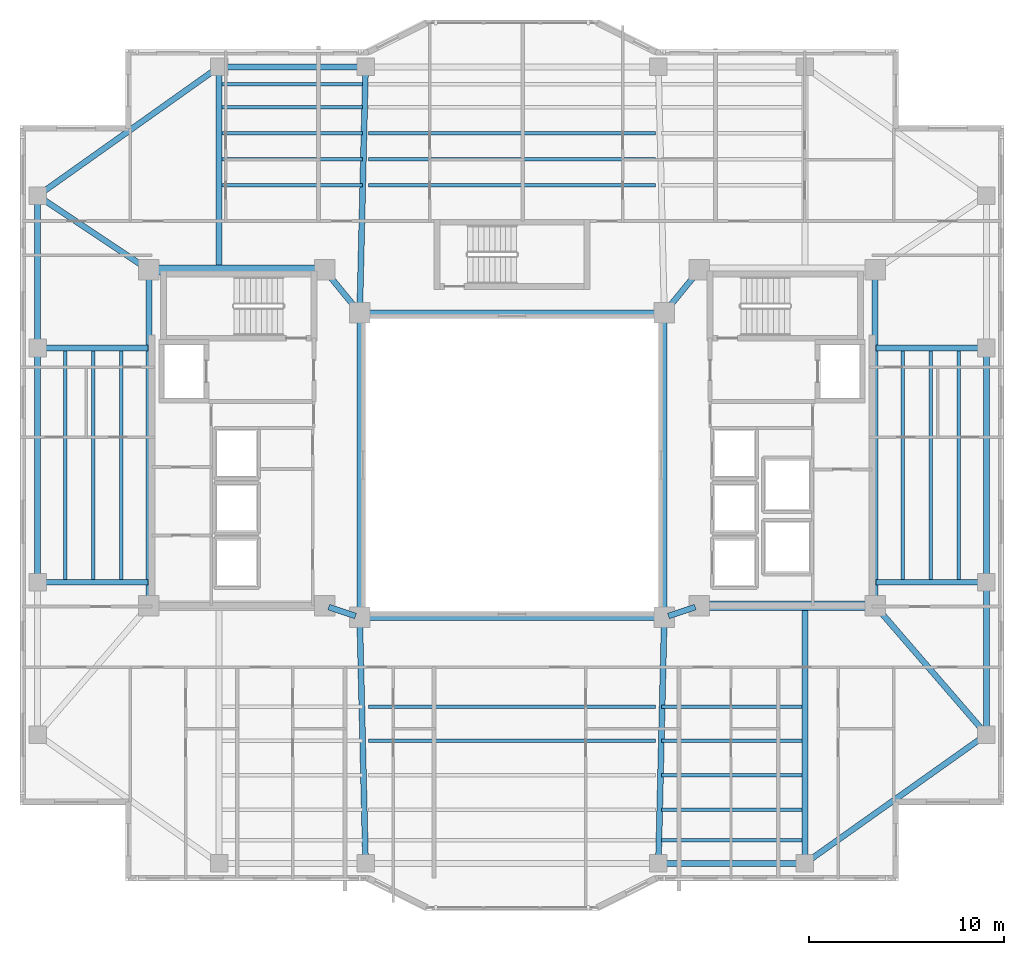
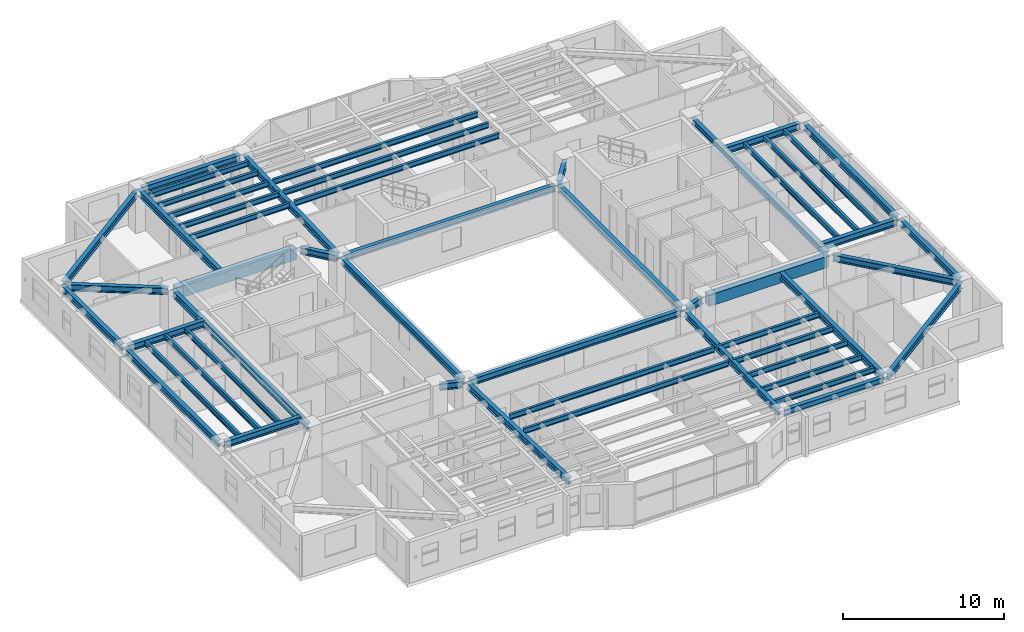
# One storey, part 3 of 16: 52 beams.
"""IFC4 building model written with IfcOpenShell, lengths in metres."""

from ifc_helpers import new_model, si_unit, direction, frame, origin, origin_2d, place, context, subcontext, project, spatial, rectangle, i_section, extrude, material, material_profile, profile_set, type_object, element, save


model = new_model("IFC4")

# Units and contexts
model_context = context("Model", 3, precision=1e-05, world=origin(), true_north=direction((0.0, 1.0)))
body_context = subcontext(model_context, "Body", "Model", "MODEL_VIEW")
ifc_project = project(units=[si_unit("LENGTHUNIT", "METRE"), si_unit("AREAUNIT", "SQUARE_METRE"), si_unit("VOLUMEUNIT", "CUBIC_METRE"), si_unit("PLANEANGLEUNIT", "RADIAN"), si_unit("MASSUNIT", "GRAM", prefix="KILO")], contexts=[model_context])

# Site, building, storey
site_placement = place(None, origin())
site = spatial("IfcSite", under=ifc_project, at=site_placement, CompositionType="ELEMENT")
building_placement = place(site_placement, origin())
building = spatial("IfcBuilding", under=site, at=building_placement, Name="Tarnavaz Court Tower", CompositionType="ELEMENT")
storey_placement = place(building_placement, frame((0.0, 0.0, 135.949951171875)))
storey = spatial("IfcBuildingStorey", under=building, at=storey_placement, Name="L36", CompositionType="ELEMENT", Elevation=135.949951171875)

# Beams
ifc_material_1 = material(Name="Concrete C50/60", Category="concrete")
ifc_material_profile_1 = material_profile(ifc_material_1, rectangle(XDim=0.5, YDim=0.85009765625, at=origin_2d()), Name="RC 500X850")
ifc_profile_set_1 = profile_set([ifc_material_profile_1], Name="Concrete C50/60")
beam_type_1 = type_object("IfcBeamType", Name="BM-CB850", PredefinedType="LINTEL", material=ifc_profile_set_1)
for number, where, z_axis, x_axis, name in (
    (1, (-18.3798828125, 10.0, 2.675048828125), (1.0, 0.0, 0.0), (0.0, 1.0, 0.0), "L36 Beam IN-CW-NO-CW-NI"),
    (2, (18.3798828125, -7.199951171875, 2.675048828125), (-1.0, 0.0, 0.0), (0.0, -1.0, 0.0), "L36 Beam IN-CE-SO-CE-SI"),
):
    element("IfcBeam", number, at=place(storey_placement, frame(where, z_axis=z_axis, x_axis=x_axis)), inside=storey, type_object=beam_type_1, Name=name, PredefinedType="LINTEL", context=body_context, shape_type="SweptSolid", body=[
        extrude(rectangle(XDim=0.5, YDim=0.85009765625, at=origin_2d()), origin(), (0.0, 0.0, 1.0), 8.559814453125),
    ])
ifc_material_2 = material(Name="Steel S355", Category="steel")
ifc_material_profile_2 = material_profile(ifc_material_2, i_section(OverallWidth=0.300048828125, OverallDepth=0.5, WebThickness=0.014404296875, FlangeThickness=0.028076171875, FilletRadius=0.027099609375, at=origin_2d()), Name="HEB 500")
ifc_profile_set_2 = profile_set([ifc_material_profile_2], Name="Steel S355")
beam_type_2 = type_object("IfcBeamType", Name="BM-G-HEB500", PredefinedType="USERDEFINED", material=ifc_profile_set_2)
for number, where, z_axis, x_axis, name in (
    (3, (-9.391357421875, -7.26953125, 2.85009765625), (0.948666544706, -0.316278021615, 0.0), (0.316278021615, 0.948666544706, 0.0), "L36 Beam IN-CW-SI-IW-SW"),
    (4, (9.391357421875, -7.26953125, 2.85009765625), (-0.948666544706, -0.316278021615, 0.0), (0.316278021615, -0.948666544706, 0.0), "L36 Beam IN-CE-SI-IW-SE"),
):
    element("IfcBeam", number, at=place(storey_placement, frame(where, z_axis=z_axis, x_axis=x_axis)), inside=storey, type_object=beam_type_2, Name=name, ObjectType="GIRDER", PredefinedType="USERDEFINED", context=body_context, shape_type="SweptSolid", body=[
        extrude(i_section(OverallWidth=0.300048828125, OverallDepth=0.5, WebThickness=0.014404296875, FlangeThickness=0.028076171875, FilletRadius=0.027099609375, at=origin_2d()), origin(), (0.0, 0.0, 1.0), 1.457275390625),
    ])
for number, where, z_axis, x_axis, name in (
    (5, (-9.460693359375, 9.82958984375, 2.85009765625), (0.633282058357, -0.773921077735, 0.0), (0.773921077735, 0.633282058357, 0.0), "L36 Beam IN-CW-NI-IW-NW"),
    (6, (9.460693359375, 9.82958984375, 2.85009765625), (-0.633282058357, -0.773921077735, 0.0), (0.773921077735, -0.633282058357, 0.0), "L36 Beam IN-CE-NI-IW-NE"),
):
    element("IfcBeam", number, at=place(storey_placement, frame(where, z_axis=z_axis, x_axis=x_axis)), inside=storey, type_object=beam_type_2, Name=name, ObjectType="GIRDER", PredefinedType="USERDEFINED", context=body_context, shape_type="SweptSolid", body=[
        extrude(i_section(OverallWidth=0.300048828125, OverallDepth=0.5, WebThickness=0.014404296875, FlangeThickness=0.028076171875, FilletRadius=0.027099609375, at=origin_2d()), origin(), (0.0, 0.0, 1.0), 2.402587890625),
    ])
for number, where, z_axis, x_axis, name in (
    (7, (-18.60009765625, -6.97998046875, 2.85009765625), (0.0, 1.0, 0.0), (-1.0, 0.0, 0.0), "L36 Beam IN-CW-SO-CW-NO"),
    (8, (18.60009765625, -6.97998046875, 2.85009765625), (0.0, 1.0, 0.0), (-1.0, 0.0, 0.0), "L36 Beam IN-CE-SO-CE-NO"),
):
    element("IfcBeam", number, at=place(storey_placement, frame(where, z_axis=z_axis, x_axis=x_axis)), inside=storey, type_object=beam_type_2, Name=name, ObjectType="GIRDER", PredefinedType="USERDEFINED", context=body_context, shape_type="SweptSolid", body=[
        extrude(i_section(OverallWidth=0.300048828125, OverallDepth=0.5, WebThickness=0.014404296875, FlangeThickness=0.028076171875, FilletRadius=0.027099609375, at=origin_2d()), origin(), (0.0, 0.0, 1.0), 16.760009765625),
    ])
beam_1_placement = place(storey_placement, frame((-15.0, 10.0400390625, 2.85009765625), z_axis=(0.0, 1.0, 0.0), x_axis=(-1.0, 0.0, 0.0)))
element("IfcBeam", 9, at=beam_1_placement, inside=storey, type_object=beam_type_2, Name="L36 Beam RG-01", ObjectType="GIRDER", PredefinedType="USERDEFINED", context=body_context, shape_type="SweptSolid", body=[
    extrude(i_section(OverallWidth=0.300048828125, OverallDepth=0.5, WebThickness=0.014404296875, FlangeThickness=0.028076171875, FilletRadius=0.027099609375, at=origin_2d()), origin(), (0.0, 0.0, 1.0), 10.139892578125),
])
for number, where, z_axis, x_axis, name in (
    (10, (-7.794921875, 8.02001953125, 2.85009765625), (0.023824748444, 0.999716150395, 0.0), (-0.999716150395, 0.023824748444, 0.0), "L36 Beam RG-02"),
    (11, (-7.794921875, -8.02001953125, 2.85009765625), (0.023824748444, -0.999716150395, 0.0), (0.999716150395, 0.023824748444, 0.0), "L36 Beam RG-06"),
    (12, (7.794921875, -8.02001953125, 2.85009765625), (-0.023824748444, -0.999716150395, 0.0), (0.999716150395, -0.023824748444, 0.0), "L36 Beam RG-07"),
):
    element("IfcBeam", number, at=place(storey_placement, frame(where, z_axis=z_axis, x_axis=x_axis)), inside=storey, type_object=beam_type_2, Name=name, ObjectType="GIRDER", PredefinedType="USERDEFINED", context=body_context, shape_type="SweptSolid", body=[
        extrude(i_section(OverallWidth=0.300048828125, OverallDepth=0.5, WebThickness=0.014404296875, FlangeThickness=0.028076171875, FilletRadius=0.027099609375, at=origin_2d()), origin(), (0.0, 0.0, 1.0), 12.16357421875),
    ])
beam_2_placement = place(storey_placement, frame((15.0, -7.239990234375, 2.85009765625), z_axis=(0.0, -1.0, 0.0), x_axis=(1.0, 0.0, 0.0)))
element("IfcBeam", 13, at=beam_2_placement, inside=storey, type_object=beam_type_2, Name="L36 Beam RG-08", ObjectType="GIRDER", PredefinedType="USERDEFINED", context=body_context, shape_type="SweptSolid", body=[
    extrude(i_section(OverallWidth=0.300048828125, OverallDepth=0.5, WebThickness=0.014404296875, FlangeThickness=0.028076171875, FilletRadius=0.027099609375, at=origin_2d()), origin(), (0.0, 0.0, 1.0), 12.93994140625),
])
for number, where, z_axis, x_axis, name in (
    (14, (18.639892578125, -6.0, 2.85009765625), (1.0, 0.0, 0.0), (0.0, 1.0, 0.0), "L36 Beam RG-09"),
    (15, (18.639892578125, 6.0, 2.85009765625), (1.0, 0.0, 0.0), (0.0, 1.0, 0.0), "L36 Beam RG-10"),
):
    element("IfcBeam", number, at=place(storey_placement, frame(where, z_axis=z_axis, x_axis=x_axis)), inside=storey, type_object=beam_type_2, Name=name, ObjectType="GIRDER", PredefinedType="USERDEFINED", context=body_context, shape_type="SweptSolid", body=[
        extrude(i_section(OverallWidth=0.300048828125, OverallDepth=0.5, WebThickness=0.014404296875, FlangeThickness=0.028076171875, FilletRadius=0.027099609375, at=origin_2d()), origin(), (0.0, 0.0, 1.0), 5.440185546875),
    ])
beam_3_placement = place(storey_placement, frame((18.743896484375, -7.366455078125, 2.85009765625), z_axis=(0.653610659012, -0.756830962914, 0.0), x_axis=(0.756830962914, 0.653610659012, 0.0)))
element("IfcBeam", 16, at=beam_3_placement, inside=storey, type_object=beam_type_2, Name="L36 Beam RG-11", ObjectType="GIRDER", PredefinedType="USERDEFINED", context=body_context, shape_type="SweptSolid", body=[
    extrude(i_section(OverallWidth=0.300048828125, OverallDepth=0.5, WebThickness=0.014404296875, FlangeThickness=0.028076171875, FilletRadius=0.027099609375, at=origin_2d()), origin(), (0.0, 0.0, 1.0), 8.28076171875),
])
for number, where, z_axis, x_axis, name in (
    (17, (-18.639892578125, -6.0, 2.85009765625), (-1.0, 0.0, 0.0), (0.0, -1.0, 0.0), "L36 Beam RG-13"),
    (18, (-18.639892578125, 6.0, 2.85009765625), (-1.0, 0.0, 0.0), (0.0, -1.0, 0.0), "L36 Beam RG-14"),
):
    element("IfcBeam", number, at=place(storey_placement, frame(where, z_axis=z_axis, x_axis=x_axis)), inside=storey, type_object=beam_type_2, Name=name, ObjectType="GIRDER", PredefinedType="USERDEFINED", context=body_context, shape_type="SweptSolid", body=[
        extrude(i_section(OverallWidth=0.300048828125, OverallDepth=0.5, WebThickness=0.014404296875, FlangeThickness=0.028076171875, FilletRadius=0.027099609375, at=origin_2d()), origin(), (0.0, 0.0, 1.0), 5.440185546875),
    ])
beam_4_placement = place(storey_placement, frame((-18.783203125, 10.1220703125, 2.85009765625), z_axis=(-0.832044435051, 0.554708985056, 0.0), x_axis=(-0.554708985056, -0.832044435051, 0.0)))
element("IfcBeam", 19, at=beam_4_placement, inside=storey, type_object=beam_type_2, Name="L36 Beam RG-16", ObjectType="GIRDER", PredefinedType="USERDEFINED", context=body_context, shape_type="SweptSolid", body=[
    extrude(i_section(OverallWidth=0.300048828125, OverallDepth=0.5, WebThickness=0.014404296875, FlangeThickness=0.028076171875, FilletRadius=0.027099609375, at=origin_2d()), origin(), (0.0, 0.0, 1.0), 6.410400390625),
])
ifc_material_profile_3 = material_profile(ifc_material_2, i_section(OverallWidth=0.179931640625, OverallDepth=0.39990234375, WebThickness=0.008544921875, FlangeThickness=0.013427734375, FilletRadius=0.02099609375, at=origin_2d()), Name="IPE 400")
ifc_profile_set_3 = profile_set([ifc_material_profile_3], Name="Steel S355")
beam_type_3 = type_object("IfcBeamType", Name="BM-J-IPE400", PredefinedType="JOIST", material=ifc_profile_set_3)
beam_5_placement = place(storey_placement, frame((-14.85009765625, 14.33203125, 2.900146484375), z_axis=(1.0, 0.0, 0.0), x_axis=(0.0, 1.0, 0.0)))
element("IfcBeam", 20, at=beam_5_placement, inside=storey, type_object=beam_type_3, Name="L36 Beam JN1-1", PredefinedType="JOIST", context=body_context, shape_type="SweptSolid", body=[
    extrude(i_section(OverallWidth=0.179931640625, OverallDepth=0.39990234375, WebThickness=0.008544921875, FlangeThickness=0.013427734375, FilletRadius=0.02099609375, at=origin_2d()), origin(), (0.0, 0.0, 1.0), 7.2001953125),
])
for number, where, z_axis, x_axis, name in (
    (21, (-7.35009765625, 14.33203125, 2.900146484375), (1.0, 0.0, 0.0), (0.0, 1.0, 0.0), "L36 Beam JN1-2"),
    (22, (-7.35009765625, -12.364013671875, 2.900146484375), (1.0, 0.0, 0.0), (0.0, 1.0, 0.0), "L36 Beam JS1-2"),
):
    element("IfcBeam", number, at=place(storey_placement, frame(where, z_axis=z_axis, x_axis=x_axis)), inside=storey, type_object=beam_type_3, Name=name, PredefinedType="JOIST", context=body_context, shape_type="SweptSolid", body=[
        extrude(i_section(OverallWidth=0.179931640625, OverallDepth=0.39990234375, WebThickness=0.008544921875, FlangeThickness=0.013427734375, FilletRadius=0.02099609375, at=origin_2d()), origin(), (0.0, 0.0, 1.0), 14.7001953125),
    ])
for number, where, z_axis, x_axis, name in (
    (23, (7.64990234375, -12.364013671875, 2.900146484375), (1.0, 0.0, 0.0), (0.0, 1.0, 0.0), "L36 Beam JS1-3"),
    (24, (-14.85009765625, 15.6640625, 2.900146484375), (1.0, 0.0, 0.0), (0.0, 1.0, 0.0), "L36 Beam JN2-1"),
):
    element("IfcBeam", number, at=place(storey_placement, frame(where, z_axis=z_axis, x_axis=x_axis)), inside=storey, type_object=beam_type_3, Name=name, PredefinedType="JOIST", context=body_context, shape_type="SweptSolid", body=[
        extrude(i_section(OverallWidth=0.179931640625, OverallDepth=0.39990234375, WebThickness=0.008544921875, FlangeThickness=0.013427734375, FilletRadius=0.02099609375, at=origin_2d()), origin(), (0.0, 0.0, 1.0), 7.2001953125),
    ])
for number, where, z_axis, x_axis, name in (
    (25, (-7.35009765625, 15.6640625, 2.900146484375), (1.0, 0.0, 0.0), (0.0, 1.0, 0.0), "L36 Beam JN2-2"),
    (26, (-7.35009765625, -14.1279296875, 2.900146484375), (1.0, 0.0, 0.0), (0.0, 1.0, 0.0), "L36 Beam JS2-2"),
):
    element("IfcBeam", number, at=place(storey_placement, frame(where, z_axis=z_axis, x_axis=x_axis)), inside=storey, type_object=beam_type_3, Name=name, PredefinedType="JOIST", context=body_context, shape_type="SweptSolid", body=[
        extrude(i_section(OverallWidth=0.179931640625, OverallDepth=0.39990234375, WebThickness=0.008544921875, FlangeThickness=0.013427734375, FilletRadius=0.02099609375, at=origin_2d()), origin(), (0.0, 0.0, 1.0), 14.7001953125),
    ])
for number, where, z_axis, x_axis, name in (
    (27, (7.64990234375, -14.1279296875, 2.900146484375), (1.0, 0.0, 0.0), (0.0, 1.0, 0.0), "L36 Beam JS2-3"),
    (28, (-14.85009765625, 16.99609375, 2.900146484375), (1.0, 0.0, 0.0), (0.0, 1.0, 0.0), "L36 Beam JN3-1"),
):
    element("IfcBeam", number, at=place(storey_placement, frame(where, z_axis=z_axis, x_axis=x_axis)), inside=storey, type_object=beam_type_3, Name=name, PredefinedType="JOIST", context=body_context, shape_type="SweptSolid", body=[
        extrude(i_section(OverallWidth=0.179931640625, OverallDepth=0.39990234375, WebThickness=0.008544921875, FlangeThickness=0.013427734375, FilletRadius=0.02099609375, at=origin_2d()), origin(), (0.0, 0.0, 1.0), 7.2001953125),
    ])
beam_6_placement = place(storey_placement, frame((-7.35009765625, 16.99609375, 2.900146484375), z_axis=(1.0, 0.0, 0.0), x_axis=(0.0, 1.0, 0.0)))
element("IfcBeam", 29, at=beam_6_placement, inside=storey, type_object=beam_type_3, Name="L36 Beam JN3-2", PredefinedType="JOIST", context=body_context, shape_type="SweptSolid", body=[
    extrude(i_section(OverallWidth=0.179931640625, OverallDepth=0.39990234375, WebThickness=0.008544921875, FlangeThickness=0.013427734375, FilletRadius=0.02099609375, at=origin_2d()), origin(), (0.0, 0.0, 1.0), 14.7001953125),
])
for number, where, z_axis, x_axis, name in (
    (30, (7.64990234375, -15.89208984375, 2.900146484375), (1.0, 0.0, 0.0), (0.0, 1.0, 0.0), "L36 Beam JS3-3"),
    (31, (-14.85009765625, 18.327880859375, 2.900146484375), (1.0, 0.0, 0.0), (0.0, 1.0, 0.0), "L36 Beam JN4-1"),
    (32, (7.64990234375, -17.656005859375, 2.900146484375), (1.0, 0.0, 0.0), (0.0, 1.0, 0.0), "L36 Beam JS4-3"),
    (33, (-14.85009765625, 19.511962890625, 2.900146484375), (1.0, 0.0, 0.0), (0.0, 1.0, 0.0), "L36 Beam JN5-1"),
    (34, (7.64990234375, -19.22412109375, 2.900146484375), (1.0, 0.0, 0.0), (0.0, 1.0, 0.0), "L36 Beam JS5-3"),
):
    element("IfcBeam", number, at=place(storey_placement, frame(where, z_axis=z_axis, x_axis=x_axis)), inside=storey, type_object=beam_type_3, Name=name, PredefinedType="JOIST", context=body_context, shape_type="SweptSolid", body=[
        extrude(i_section(OverallWidth=0.179931640625, OverallDepth=0.39990234375, WebThickness=0.008544921875, FlangeThickness=0.013427734375, FilletRadius=0.02099609375, at=origin_2d()), origin(), (0.0, 0.0, 1.0), 7.2001953125),
    ])
for number, where, z_axis, x_axis, name in (
    (35, (20.02490234375, -5.9599609375, 2.900146484375), (0.0, 1.0, 0.0), (-1.0, 0.0, 0.0), "L36 Beam JE1"),
    (36, (-20.02490234375, -5.9599609375, 2.900146484375), (0.0, 1.0, 0.0), (-1.0, 0.0, 0.0), "L36 Beam JW1"),
    (37, (21.449951171875, -5.9599609375, 2.900146484375), (0.0, 1.0, 0.0), (-1.0, 0.0, 0.0), "L36 Beam JE2"),
    (38, (-21.449951171875, -5.9599609375, 2.900146484375), (0.0, 1.0, 0.0), (-1.0, 0.0, 0.0), "L36 Beam JW2"),
    (39, (22.875, -5.9599609375, 2.900146484375), (0.0, 1.0, 0.0), (-1.0, 0.0, 0.0), "L36 Beam JE3"),
    (40, (-22.875, -5.9599609375, 2.900146484375), (0.0, 1.0, 0.0), (-1.0, 0.0, 0.0), "L36 Beam JW3"),
):
    element("IfcBeam", number, at=place(storey_placement, frame(where, z_axis=z_axis, x_axis=x_axis)), inside=storey, type_object=beam_type_3, Name=name, PredefinedType="JOIST", context=body_context, shape_type="SweptSolid", body=[
        extrude(i_section(OverallWidth=0.179931640625, OverallDepth=0.39990234375, WebThickness=0.008544921875, FlangeThickness=0.013427734375, FilletRadius=0.02099609375, at=origin_2d()), origin(), (0.0, 0.0, 1.0), 11.919921875),
    ])
ifc_material_profile_4 = material_profile(ifc_material_2, i_section(OverallWidth=0.300048828125, OverallDepth=0.489990234375, WebThickness=0.011962890625, FlangeThickness=0.02294921875, FilletRadius=0.027099609375, at=origin_2d()), Name="HEA 500")
ifc_profile_set_4 = profile_set([ifc_material_profile_4], Name="Steel S355")
beam_type_4 = type_object("IfcBeamType", Name="BM-SP-HEA500", PredefinedType="SPANDREL", material=ifc_profile_set_4)
for number, where, z_axis, x_axis, name in (
    (41, (-7.580078125, -7.800048828125, 2.85498046875), (1.0, 0.0, 0.0), (0.0, 1.0, 0.0), "L36 Beam IN-IW-SW-IW-SE"),
    (42, (-7.580078125, 7.800048828125, 2.85498046875), (1.0, 0.0, 0.0), (0.0, 1.0, 0.0), "L36 Beam IN-IW-NW-IW-NE"),
    (43, (-7.800048828125, -7.580078125, 2.85498046875), (0.0, 1.0, 0.0), (-1.0, 0.0, 0.0), "L36 Beam IN-IW-SW-IW-NW"),
    (44, (7.800048828125, -7.580078125, 2.85498046875), (0.0, 1.0, 0.0), (-1.0, 0.0, 0.0), "L36 Beam IN-IW-SE-IW-NE"),
):
    element("IfcBeam", number, at=place(storey_placement, frame(where, z_axis=z_axis, x_axis=x_axis)), inside=storey, type_object=beam_type_4, Name=name, PredefinedType="SPANDREL", context=body_context, shape_type="SweptSolid", body=[
        extrude(i_section(OverallWidth=0.300048828125, OverallDepth=0.489990234375, WebThickness=0.011962890625, FlangeThickness=0.02294921875, FilletRadius=0.027099609375, at=origin_2d()), origin(), (0.0, 0.0, 1.0), 15.16015625),
    ])
for number, where, z_axis, x_axis, name in (
    (45, (-14.780029296875, 20.39990234375, 2.85498046875), (1.0, 0.0, 0.0), (0.0, 1.0, 0.0), "L36 Beam PR-PN-1-PN-2"),
    (46, (7.719970703125, -20.39990234375, 2.85498046875), (1.0, 0.0, 0.0), (0.0, 1.0, 0.0), "L36 Beam PR-PS-3-PS-4"),
):
    element("IfcBeam", number, at=place(storey_placement, frame(where, z_axis=z_axis, x_axis=x_axis)), inside=storey, type_object=beam_type_4, Name=name, PredefinedType="SPANDREL", context=body_context, shape_type="SweptSolid", body=[
        extrude(i_section(OverallWidth=0.300048828125, OverallDepth=0.489990234375, WebThickness=0.011962890625, FlangeThickness=0.02294921875, FilletRadius=0.027099609375, at=origin_2d()), origin(), (0.0, 0.0, 1.0), 7.06005859375),
    ])
beam_7_placement = place(storey_placement, frame((24.300048828125, -13.580078125, 2.85498046875), z_axis=(0.0, 1.0, 0.0), x_axis=(-1.0, 0.0, 0.0)))
element("IfcBeam", 47, at=beam_7_placement, inside=storey, type_object=beam_type_4, Name="L36 Beam PR-PE-1-PE-2", PredefinedType="SPANDREL", context=body_context, shape_type="SweptSolid", body=[
    extrude(i_section(OverallWidth=0.300048828125, OverallDepth=0.489990234375, WebThickness=0.011962890625, FlangeThickness=0.02294921875, FilletRadius=0.027099609375, at=origin_2d()), origin(), (0.0, 0.0, 1.0), 7.360107421875),
])
for number, where, z_axis, x_axis, name in (
    (48, (24.300048828125, -5.780029296875, 2.85498046875), (0.0, 1.0, 0.0), (-1.0, 0.0, 0.0), "L36 Beam PR-PE-2-PE-3"),
    (49, (-24.300048828125, -5.780029296875, 2.85498046875), (0.0, 1.0, 0.0), (-1.0, 0.0, 0.0), "L36 Beam PR-PW-2-PW-3"),
):
    element("IfcBeam", number, at=place(storey_placement, frame(where, z_axis=z_axis, x_axis=x_axis)), inside=storey, type_object=beam_type_4, Name=name, PredefinedType="SPANDREL", context=body_context, shape_type="SweptSolid", body=[
        extrude(i_section(OverallWidth=0.300048828125, OverallDepth=0.489990234375, WebThickness=0.011962890625, FlangeThickness=0.02294921875, FilletRadius=0.027099609375, at=origin_2d()), origin(), (0.0, 0.0, 1.0), 11.56005859375),
    ])
beam_8_placement = place(storey_placement, frame((-24.300048828125, 6.219970703125, 2.85498046875), z_axis=(0.0, 1.0, 0.0), x_axis=(-1.0, 0.0, 0.0)))
element("IfcBeam", 50, at=beam_8_placement, inside=storey, type_object=beam_type_4, Name="L36 Beam PR-PW-3-PW-4", PredefinedType="SPANDREL", context=body_context, shape_type="SweptSolid", body=[
    extrude(i_section(OverallWidth=0.300048828125, OverallDepth=0.489990234375, WebThickness=0.011962890625, FlangeThickness=0.02294921875, FilletRadius=0.027099609375, at=origin_2d()), origin(), (0.0, 0.0, 1.0), 7.360107421875),
])
for number, where, z_axis, x_axis, name in (
    (51, (24.12060546875, -13.92724609375, 2.85498046875), (-0.815502059396, -0.57875417158, 0.0), (0.57875417158, -0.815502059396, 0.0), "L36 Beam PR-PE-1-PS-4"),
    (52, (-24.12060546875, 13.92724609375, 2.85498046875), (0.815502059396, 0.57875417158, 0.0), (-0.57875417158, 0.815502059396, 0.0), "L36 Beam PR-PW-4-PN-1"),
):
    element("IfcBeam", number, at=place(storey_placement, frame(where, z_axis=z_axis, x_axis=x_axis)), inside=storey, type_object=beam_type_4, Name=name, PredefinedType="SPANDREL", context=body_context, shape_type="SweptSolid", body=[
        extrude(i_section(OverallWidth=0.300048828125, OverallDepth=0.489990234375, WebThickness=0.011962890625, FlangeThickness=0.02294921875, FilletRadius=0.027099609375, at=origin_2d()), origin(), (0.0, 0.0, 1.0), 10.964111328125),
    ])

save(model, "model.ifc")
